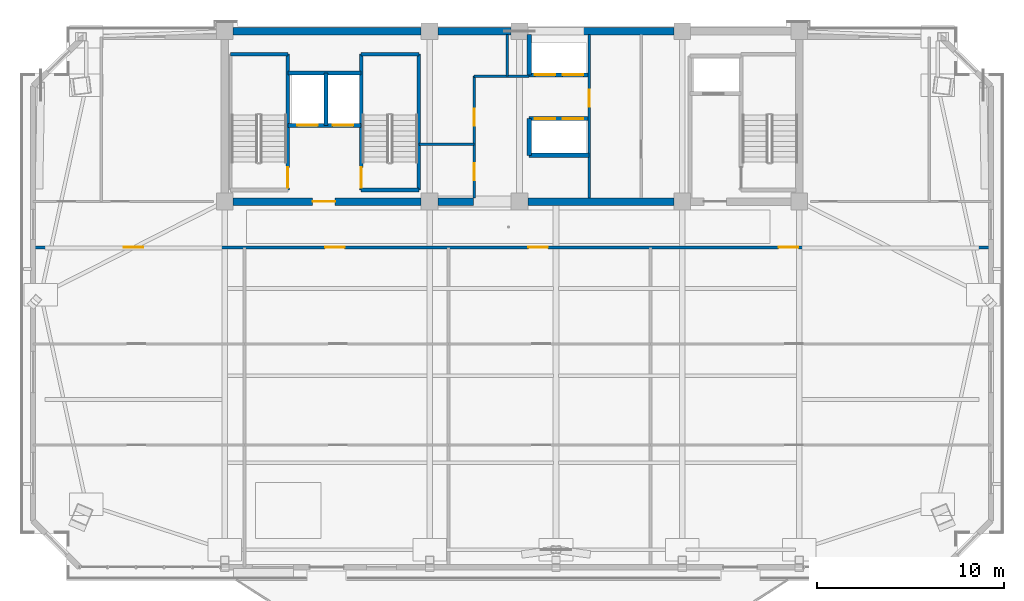
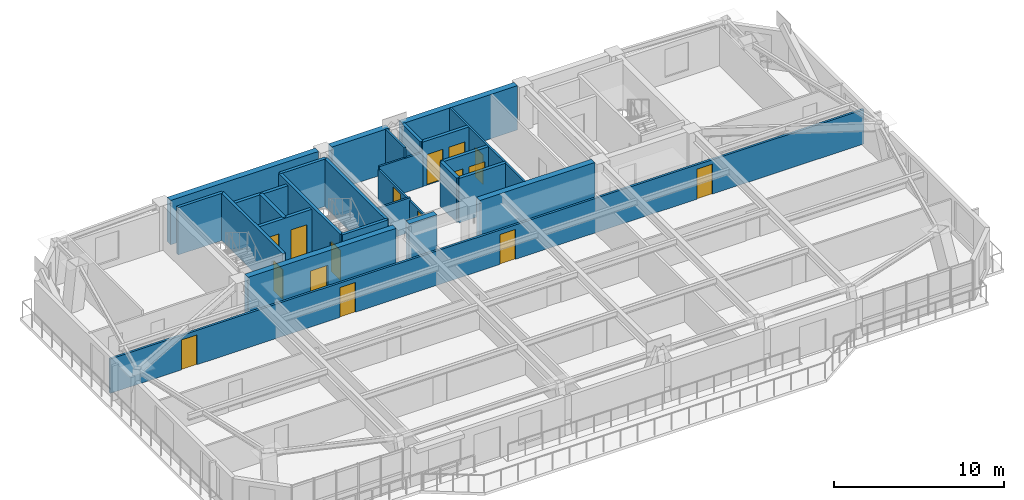
# One storey, part 9 of 15: 26 walls, 16 doors, 16 openings.
"""IFC4 building model written with IfcOpenShell, lengths in metres."""

from ifc_helpers import new_model, si_unit, direction, frame, frame_2d, origin, place, context, subcontext, project, spatial, rectangle, extrude, source, transform, mapped, material, layer, layer_set, type_object, element, fill, save


model = new_model("IFC4")

# Units and contexts
model_context = context("Model", 3, precision=1e-05, world=origin(), true_north=direction((0.0, 1.0)))
body_context = subcontext(model_context, "Body", "Model", "MODEL_VIEW")
ifc_project = project(units=[si_unit("LENGTHUNIT", "METRE"), si_unit("AREAUNIT", "SQUARE_METRE"), si_unit("VOLUMEUNIT", "CUBIC_METRE"), si_unit("PLANEANGLEUNIT", "RADIAN"), si_unit("MASSUNIT", "GRAM", prefix="KILO")], contexts=[model_context])

# Site, building, storey
site_placement = place(None, origin())
site = spatial("IfcSite", under=ifc_project, at=site_placement, CompositionType="ELEMENT")
building_placement = place(site_placement, origin())
building = spatial("IfcBuilding", under=site, at=building_placement, Name="Giltprow Tower", CompositionType="ELEMENT")
storey_placement = place(building_placement, frame((0.0, 0.0, 290.39990234375)))
storey = spatial("IfcBuildingStorey", under=building, at=storey_placement, Name="L74", CompositionType="ELEMENT", Elevation=290.39990234375)

# Wall, openings, doors
ifc_material_1 = material(Name="Gypsum stud partition", Category="gypsum")
ifc_layer_1 = layer(ifc_material_1, 0.14990234375, Name="Gypsum stud partition")
ifc_layer_set_1 = layer_set([ifc_layer_1], Name="Gypsum stud partition")
wall_type_1 = type_object("IfcWallType", Name="IW-CORR-150", PredefinedType="PARTITIONING", material=ifc_layer_set_1)
wall_1_placement = place(storey_placement, frame((9.60888671875, 35.0, 0.0), z_axis=(0.0, 0.0, 1.0), x_axis=(1.0, 0.0, 0.0)))
wall_1 = element("IfcWall", 1, at=wall_1_placement, inside=storey, type_object=wall_type_1, Name="L74 Residence Gallery Corridor Wall", PredefinedType="PARTITIONING", context=body_context, shape_type="SweptSolid", body=[
    extrude(rectangle(XDim=51.18212890625, YDim=0.14990234375, at=frame_2d((25.591064453125, 0.0))), origin(), (0.0, 0.0, 1.0), 2.47021484375),
])
opening_1_placement = place(wall_1_placement, frame((4.841064453125, 0.0, 0.0)))
opening_1 = element("IfcOpeningElement", 2, at=opening_1_placement, cuts=wall_1, Name="Opening ID31", PredefinedType="OPENING", context=body_context, shape_type="SweptSolid", body=[
    extrude(rectangle(XDim=1.050048828125, YDim=2.14990234375, at=frame_2d((0.52490234375, 1.074951171875))), frame((0.0, 0.0849609375, 0.0), z_axis=(0.0, -1.0, 0.0), x_axis=(1.0, 0.0, 0.0)), (0.0, 0.0, 1.0), 0.169921875),
])
opening_2_placement = place(wall_1_placement, frame((15.60205078125, 0.0, 0.0)))
opening_2 = element("IfcOpeningElement", 3, at=opening_2_placement, cuts=wall_1, Name="Opening ID31", PredefinedType="OPENING", context=body_context, shape_type="SweptSolid", body=[
    extrude(rectangle(XDim=1.050048828125, YDim=2.14990234375, at=frame_2d((0.52490234375, 1.074951171875))), frame((0.0, 0.0849609375, 0.0), z_axis=(0.0, -1.0, 0.0), x_axis=(1.0, 0.0, 0.0)), (0.0, 0.0, 1.0), 0.169921875),
])
opening_3_placement = place(wall_1_placement, frame((26.464111328125, 0.0, 0.0)))
opening_3 = element("IfcOpeningElement", 4, at=opening_3_placement, cuts=wall_1, Name="Opening ID31", PredefinedType="OPENING", context=body_context, shape_type="SweptSolid", body=[
    extrude(rectangle(XDim=1.050048828125, YDim=2.14990234375, at=frame_2d((0.52490234375, 1.074951171875))), frame((0.0, 0.0849609375, 0.0), z_axis=(0.0, -1.0, 0.0), x_axis=(1.0, 0.0, 0.0)), (0.0, 0.0, 1.0), 0.169921875),
])
opening_4_placement = place(wall_1_placement, frame((39.839111328125, 0.0, 0.0)))
opening_4 = element("IfcOpeningElement", 5, at=opening_4_placement, cuts=wall_1, Name="Opening ID31", PredefinedType="OPENING", context=body_context, shape_type="SweptSolid", body=[
    extrude(rectangle(XDim=1.050048828125, YDim=2.14990234375, at=frame_2d((0.52490234375, 1.074951171875))), frame((0.0, 0.0849609375, 0.0), z_axis=(0.0, -1.0, 0.0), x_axis=(1.0, 0.0, 0.0)), (0.0, 0.0, 1.0), 0.169921875),
])
ifc_material_2 = material(Name="Engineered timber", Category="wood")
door_type_1 = type_object("IfcDoorType", Name="DR-SUITE-1050", OperationType="SINGLE_SWING_LEFT", PredefinedType="DOOR", material=ifc_material_2)
shared_shape_1 = source(origin(), body_context, "Body", "SweptSolid", [
    extrude(rectangle(XDim=1.050048828125, YDim=2.14990234375, at=frame_2d((0.52490234375, 1.074951171875))), frame((0.0, 0.02490234375, 0.0), z_axis=(0.0, -1.0, 0.0), x_axis=(1.0, 0.0, 0.0)), (0.0, 0.0, 1.0), 0.050048828125),
])
door_1_placement = place(opening_1_placement, origin())
door_1 = element("IfcDoor", 6, at=door_1_placement, inside=storey, type_object=door_type_1, Name="L74 Private Wine Cellar Store 1 North Door", OperationType="SINGLE_SWING_RIGHT", OverallHeight=2.14990234375, OverallWidth=1.050048828125, PredefinedType="DOOR", context=body_context, shape_type="MappedRepresentation", body=[
    mapped(shared_shape_1, transform((0.0, 0.0, 0.0), x_axis=(1.0, 0.0, 0.0), y_axis=(0.0, 1.0, 0.0), z_axis=(0.0, 0.0, 1.0), scale=1.0)),
])
fill(opening_1, door_1)
door_2_placement = place(opening_2_placement, origin())
door_2 = element("IfcDoor", 7, at=door_2_placement, inside=storey, type_object=door_type_1, Name="L74 Residents Sky Club Lounge North Door", OperationType="SINGLE_SWING_LEFT", OverallHeight=2.14990234375, OverallWidth=1.050048828125, PredefinedType="DOOR", context=body_context, shape_type="MappedRepresentation", body=[
    mapped(shared_shape_1, transform((0.0, 0.0, 0.0), x_axis=(1.0, 0.0, 0.0), y_axis=(0.0, 1.0, 0.0), z_axis=(0.0, 0.0, 1.0), scale=1.0)),
])
fill(opening_2, door_2)
door_3_placement = place(opening_3_placement, origin())
door_3 = element("IfcDoor", 8, at=door_3_placement, inside=storey, type_object=door_type_1, Name="L74 Residents Sky Club Lounge North Door", OperationType="SINGLE_SWING_RIGHT", OverallHeight=2.14990234375, OverallWidth=1.050048828125, PredefinedType="DOOR", context=body_context, shape_type="MappedRepresentation", body=[
    mapped(shared_shape_1, transform((0.0, 0.0, 0.0), x_axis=(1.0, 0.0, 0.0), y_axis=(0.0, 1.0, 0.0), z_axis=(0.0, 0.0, 1.0), scale=1.0)),
])
fill(opening_3, door_3)
door_4_placement = place(opening_4_placement, origin())
door_4 = element("IfcDoor", 9, at=door_4_placement, inside=storey, type_object=door_type_1, Name="L74 Valet Trunk Store 2 North Door", OperationType="SINGLE_SWING_LEFT", OverallHeight=2.14990234375, OverallWidth=1.050048828125, PredefinedType="DOOR", context=body_context, shape_type="MappedRepresentation", body=[
    mapped(shared_shape_1, transform((0.0, 0.0, 0.0), x_axis=(1.0, 0.0, 0.0), y_axis=(0.0, 1.0, 0.0), z_axis=(0.0, 0.0, 1.0), scale=1.0)),
])
fill(opening_4, door_4)

ifc_material_3 = material(Name="Concrete C40", Category="concrete")
ifc_layer_2 = layer(ifc_material_3, 0.219970703125, Name="Concrete C40")
ifc_layer_set_2 = layer_set([ifc_layer_2], Name="Concrete C40")
wall_type_2 = type_object("IfcWallType", Name="IW-SHAFT-220", PredefinedType="SOLIDWALL", material=ifc_layer_set_2)
wall_2_placement = place(storey_placement, frame((23.219970703125, 41.52001953125, 0.0), z_axis=(0.0, 0.0, 1.0), x_axis=(1.0, 0.0, 0.0)))
wall_2 = element("IfcWall", 10, at=wall_2_placement, inside=storey, type_object=wall_type_2, Name="L74 FFL1 and Service Lift Front Wall", PredefinedType="SOLIDWALL", context=body_context, shape_type="SweptSolid", body=[
    extrude(rectangle(XDim=3.919921875, YDim=0.219970703125, at=frame_2d((1.9599609375, 0.0))), origin(), (0.0, 0.0, 1.0), 3.18505859375),
])
opening_5_placement = place(wall_2_placement, frame((0.5, 0.0, 0.0)))
opening_5 = element("IfcOpeningElement", 11, at=opening_5_placement, cuts=wall_2, Name="Opening LD-11", PredefinedType="OPENING", context=body_context, shape_type="SweptSolid", body=[
    extrude(rectangle(XDim=1.10009765625, YDim=2.199951171875, at=frame_2d((0.550048828125, 1.10009765625))), frame((0.0, 0.119873046875, 0.0), z_axis=(0.0, -1.0, 0.0), x_axis=(1.0, 0.0, 0.0)), (0.0, 0.0, 1.0), 0.239990234375),
])
opening_6_placement = place(wall_2_placement, frame((2.39990234375, 0.0, 0.0)))
opening_6 = element("IfcOpeningElement", 12, at=opening_6_placement, cuts=wall_2, Name="Opening LD-11", PredefinedType="OPENING", context=body_context, shape_type="SweptSolid", body=[
    extrude(rectangle(XDim=1.10009765625, YDim=2.199951171875, at=frame_2d((0.550048828125, 1.10009765625))), frame((0.0, 0.119873046875, 0.0), z_axis=(0.0, -1.0, 0.0), x_axis=(1.0, 0.0, 0.0)), (0.0, 0.0, 1.0), 0.239990234375),
])
ifc_material_4 = material(Name="Stainless steel", Category="steel")
door_type_2 = type_object("IfcDoorType", Name="DR-LIFT-LD1100", OperationType="SLIDING_TO_LEFT", PredefinedType="DOOR", material=ifc_material_4)
shared_shape_2 = source(origin(), body_context, "Body", "SweptSolid", [
    extrude(rectangle(XDim=1.10009765625, YDim=2.199951171875, at=frame_2d((0.550048828125, 1.10009765625))), frame((0.0, 0.02490234375, 0.0), z_axis=(0.0, -1.0, 0.0), x_axis=(1.0, 0.0, 0.0)), (0.0, 0.0, 1.0), 0.050048828125),
])
door_5_placement = place(opening_5_placement, origin())
door_5 = element("IfcDoor", 13, at=door_5_placement, inside=storey, type_object=door_type_2, Name="L74 FFL1 Landing Door", OperationType="SLIDING_TO_LEFT", OverallHeight=2.199951171875, OverallWidth=1.10009765625, PredefinedType="DOOR", context=body_context, shape_type="MappedRepresentation", body=[
    mapped(shared_shape_2, transform((0.0, 0.0, 0.0), x_axis=(1.0, 0.0, 0.0), y_axis=(0.0, 1.0, 0.0), z_axis=(0.0, 0.0, 1.0), scale=1.0)),
])
fill(opening_5, door_5)
door_6_placement = place(opening_6_placement, origin())
door_6 = element("IfcDoor", 14, at=door_6_placement, inside=storey, type_object=door_type_2, Name="L74 SVL1 Landing Door", OperationType="SLIDING_TO_LEFT", OverallHeight=2.199951171875, OverallWidth=1.10009765625, PredefinedType="DOOR", context=body_context, shape_type="MappedRepresentation", body=[
    mapped(shared_shape_2, transform((0.0, 0.0, 0.0), x_axis=(1.0, 0.0, 0.0), y_axis=(0.0, 1.0, 0.0), z_axis=(0.0, 0.0, 1.0), scale=1.0)),
])
fill(opening_6, door_6)

# Walls
wall_3_placement = place(storey_placement, frame((25.260009765625, 41.52001953125, 0.0), z_axis=(0.0, 0.0, 1.0), x_axis=(0.0, 1.0, 0.0)))
element("IfcWall", 15, at=wall_3_placement, inside=storey, type_object=wall_type_2, Name="L74 FFL1-SVL1 Shaft Divider", PredefinedType="SOLIDWALL", context=body_context, shape_type="SweptSolid", body=[
    extrude(rectangle(XDim=2.800048828125, YDim=0.219970703125, at=frame_2d((1.39990234375, 0.0))), origin(), (0.0, 0.0, 1.0), 3.18505859375),
])
wall_4_placement = place(storey_placement, frame((23.219970703125, 44.320068359375, 0.0), z_axis=(0.0, 0.0, 1.0), x_axis=(1.0, 0.0, 0.0)))
element("IfcWall", 16, at=wall_4_placement, inside=storey, type_object=wall_type_2, Name="L74 FFL1-SVL1 Back Shaft Wall", PredefinedType="SOLIDWALL", context=body_context, shape_type="SweptSolid", body=[
    extrude(rectangle(XDim=3.919921875, YDim=0.219970703125, at=frame_2d((1.9599609375, 0.0))), origin(), (0.0, 0.0, 1.0), 3.18505859375),
])

# Wall, openings, doors
wall_5_placement = place(storey_placement, frame((36.1201171875, 44.219970703125, 0.0), z_axis=(0.0, 0.0, 1.0), x_axis=(1.0, 0.0, 0.0)))
wall_5 = element("IfcWall", 17, at=wall_5_placement, inside=storey, type_object=wall_type_2, Name="L74 High-Rise Lift Shaft Front Wall N", PredefinedType="SOLIDWALL", context=body_context, shape_type="SweptSolid", body=[
    extrude(rectangle(XDim=3.199951171875, YDim=0.219970703125, at=frame_2d((1.60009765625, 0.0))), origin(), (0.0, 0.0, 1.0), 3.18505859375),
])
opening_7_placement = place(wall_5_placement, frame((0.300048828125, 0.0, 0.0)))
opening_7 = element("IfcOpeningElement", 18, at=opening_7_placement, cuts=wall_5, Name="Opening LD-11", PredefinedType="OPENING", context=body_context, shape_type="SweptSolid", body=[
    extrude(rectangle(XDim=1.10009765625, YDim=2.199951171875, at=frame_2d((0.550048828125, 1.10009765625))), frame((0.0, 0.119873046875, 0.0), z_axis=(0.0, -1.0, 0.0), x_axis=(1.0, 0.0, 0.0)), (0.0, 0.0, 1.0), 0.239990234375),
])
opening_8_placement = place(wall_5_placement, frame((1.7900390625, 0.0, 0.0)))
opening_8 = element("IfcOpeningElement", 19, at=opening_8_placement, cuts=wall_5, Name="Opening LD-11", PredefinedType="OPENING", context=body_context, shape_type="SweptSolid", body=[
    extrude(rectangle(XDim=1.10009765625, YDim=2.199951171875, at=frame_2d((0.550048828125, 1.10009765625))), frame((0.0, 0.119873046875, 0.0), z_axis=(0.0, -1.0, 0.0), x_axis=(1.0, 0.0, 0.0)), (0.0, 0.0, 1.0), 0.239990234375),
])
door_7_placement = place(opening_7_placement, origin())
door_7 = element("IfcDoor", 20, at=door_7_placement, inside=storey, type_object=door_type_2, Name="L74 PL-H1 Landing Door", OperationType="SLIDING_TO_LEFT", OverallHeight=2.199951171875, OverallWidth=1.10009765625, PredefinedType="DOOR", context=body_context, shape_type="MappedRepresentation", body=[
    mapped(shared_shape_2, transform((0.0, 0.0, 0.0), x_axis=(1.0, 0.0, 0.0), y_axis=(0.0, 1.0, 0.0), z_axis=(0.0, 0.0, 1.0), scale=1.0)),
])
fill(opening_7, door_7)
door_8_placement = place(opening_8_placement, origin())
door_8 = element("IfcDoor", 21, at=door_8_placement, inside=storey, type_object=door_type_2, Name="L74 PL-H2 Landing Door", OperationType="SLIDING_TO_LEFT", OverallHeight=2.199951171875, OverallWidth=1.10009765625, PredefinedType="DOOR", context=body_context, shape_type="MappedRepresentation", body=[
    mapped(shared_shape_2, transform((0.0, 0.0, 0.0), x_axis=(1.0, 0.0, 0.0), y_axis=(0.0, 1.0, 0.0), z_axis=(0.0, 0.0, 1.0), scale=1.0)),
])
fill(opening_8, door_8)

wall_6_placement = place(storey_placement, frame((36.1201171875, 41.8798828125, 0.0), z_axis=(0.0, 0.0, 1.0), x_axis=(1.0, 0.0, 0.0)))
wall_6 = element("IfcWall", 22, at=wall_6_placement, inside=storey, type_object=wall_type_2, Name="L74 High-Rise Lift Shaft Front Wall S", PredefinedType="SOLIDWALL", context=body_context, shape_type="SweptSolid", body=[
    extrude(rectangle(XDim=3.199951171875, YDim=0.219970703125, at=frame_2d((1.60009765625, 0.0))), origin(), (0.0, 0.0, 1.0), 3.18505859375),
])
opening_9_placement = place(wall_6_placement, frame((0.300048828125, 0.0, 0.0)))
opening_9 = element("IfcOpeningElement", 23, at=opening_9_placement, cuts=wall_6, Name="Opening LD-11", PredefinedType="OPENING", context=body_context, shape_type="SweptSolid", body=[
    extrude(rectangle(XDim=1.10009765625, YDim=2.199951171875, at=frame_2d((0.550048828125, 1.10009765625))), frame((0.0, 0.119873046875, 0.0), z_axis=(0.0, -1.0, 0.0), x_axis=(1.0, 0.0, 0.0)), (0.0, 0.0, 1.0), 0.239990234375),
])
opening_10_placement = place(wall_6_placement, frame((1.7900390625, 0.0, 0.0)))
opening_10 = element("IfcOpeningElement", 24, at=opening_10_placement, cuts=wall_6, Name="Opening LD-11", PredefinedType="OPENING", context=body_context, shape_type="SweptSolid", body=[
    extrude(rectangle(XDim=1.10009765625, YDim=2.199951171875, at=frame_2d((0.550048828125, 1.10009765625))), frame((0.0, 0.119873046875, 0.0), z_axis=(0.0, -1.0, 0.0), x_axis=(1.0, 0.0, 0.0)), (0.0, 0.0, 1.0), 0.239990234375),
])
door_9_placement = place(opening_9_placement, origin())
door_9 = element("IfcDoor", 25, at=door_9_placement, inside=storey, type_object=door_type_2, Name="L74 PL-H3 Landing Door", OperationType="SLIDING_TO_LEFT", OverallHeight=2.199951171875, OverallWidth=1.10009765625, PredefinedType="DOOR", context=body_context, shape_type="MappedRepresentation", body=[
    mapped(shared_shape_2, transform((0.0, 0.0, 0.0), x_axis=(1.0, 0.0, 0.0), y_axis=(0.0, 1.0, 0.0), z_axis=(0.0, 0.0, 1.0), scale=1.0)),
])
fill(opening_9, door_9)
door_10_placement = place(opening_10_placement, origin())
door_10 = element("IfcDoor", 26, at=door_10_placement, inside=storey, type_object=door_type_2, Name="L74 PL-H4 Landing Door", OperationType="SLIDING_TO_LEFT", OverallHeight=2.199951171875, OverallWidth=1.10009765625, PredefinedType="DOOR", context=body_context, shape_type="MappedRepresentation", body=[
    mapped(shared_shape_2, transform((0.0, 0.0, 0.0), x_axis=(1.0, 0.0, 0.0), y_axis=(0.0, 1.0, 0.0), z_axis=(0.0, 0.0, 1.0), scale=1.0)),
])
fill(opening_10, door_10)

# Walls
wall_7_placement = place(storey_placement, frame((36.1201171875, 39.919921875, 0.0), z_axis=(0.0, 0.0, 1.0), x_axis=(1.0, 0.0, 0.0)))
element("IfcWall", 27, at=wall_7_placement, inside=storey, type_object=wall_type_2, Name="L74 High-Rise South Lift Back Wall", PredefinedType="SOLIDWALL", context=body_context, shape_type="SweptSolid", body=[
    extrude(rectangle(XDim=3.199951171875, YDim=0.219970703125, at=frame_2d((1.60009765625, 0.0))), origin(), (0.0, 0.0, 1.0), 3.18505859375),
])
wall_8_placement = place(storey_placement, frame((36.1201171875, 39.919921875, 0.0), z_axis=(0.0, 0.0, 1.0), x_axis=(0.0, 1.0, 0.0)))
element("IfcWall", 28, at=wall_8_placement, inside=storey, type_object=wall_type_2, Name="L74 High-Rise South Lift West Closure", PredefinedType="SOLIDWALL", context=body_context, shape_type="SweptSolid", body=[
    extrude(rectangle(XDim=1.9599609375, YDim=0.219970703125, at=frame_2d((0.97998046875, 0.0))), origin(), (0.0, 0.0, 1.0), 3.18505859375),
])
wall_9_placement = place(storey_placement, frame((36.1201171875, 44.219970703125, 0.0), z_axis=(0.0, 0.0, 1.0), x_axis=(0.0, 1.0, 0.0)))
element("IfcWall", 29, at=wall_9_placement, inside=storey, type_object=wall_type_2, Name="L74 High-Rise North Lift West Closure", PredefinedType="SOLIDWALL", context=body_context, shape_type="SweptSolid", body=[
    extrude(rectangle(XDim=2.150146484375, YDim=0.219970703125, at=frame_2d((1.0751953125, 0.0))), origin(), (0.0, 0.0, 1.0), 3.18505859375),
])

# Wall, opening, door
ifc_layer_3 = layer(ifc_material_3, 0.199951171875, Name="Concrete C40")
ifc_layer_set_3 = layer_set([ifc_layer_3], Name="Concrete C40")
wall_type_3 = type_object("IfcWallType", Name="IW-STAIR-200", PredefinedType="SOLIDWALL", material=ifc_layer_set_3)
wall_10_placement = place(storey_placement, frame((23.219970703125, 38.070068359375, 0.0), z_axis=(0.0, 0.0, 1.0), x_axis=(0.0, 1.0, 0.0)))
wall_10 = element("IfcWall", 30, at=wall_10_placement, inside=storey, type_object=wall_type_3, Name="L74 Stair ST-1 East Bearing Wall", PredefinedType="SOLIDWALL", context=body_context, shape_type="SweptSolid", body=[
    extrude(rectangle(XDim=7.25, YDim=0.199951171875, at=frame_2d((3.625, 0.0))), origin(), (0.0, 0.0, 1.0), 3.400146484375),
])
opening_11_placement = place(wall_10_placement, frame((0.110107421875, 0.0, 0.0)))
opening_11 = element("IfcOpeningElement", 31, at=opening_11_placement, cuts=wall_10, Name="Opening ID33", PredefinedType="OPENING", context=body_context, shape_type="SweptSolid", body=[
    extrude(rectangle(XDim=1.10009765625, YDim=2.14990234375, at=frame_2d((0.550048828125, 1.074951171875))), frame((0.0, 0.10986328125, 0.0), z_axis=(0.0, -1.0, 0.0), x_axis=(1.0, 0.0, 0.0)), (0.0, 0.0, 1.0), 0.219970703125),
])
ifc_material_5 = material(Name="Steel fire leaf", Category="steel")
door_type_3 = type_object("IfcDoorType", Name="DR-STAIR-1100", OperationType="SINGLE_SWING_LEFT", PredefinedType="DOOR", material=ifc_material_5)
shared_shape_3 = source(origin(), body_context, "Body", "SweptSolid", [
    extrude(rectangle(XDim=1.10009765625, YDim=2.14990234375, at=frame_2d((0.550048828125, 1.074951171875))), frame((0.0, 0.02490234375, 0.0), z_axis=(0.0, -1.0, 0.0), x_axis=(1.0, 0.0, 0.0)), (0.0, 0.0, 1.0), 0.050048828125),
])
door_11_placement = place(opening_11_placement, origin())
door_11 = element("IfcDoor", 32, at=door_11_placement, inside=storey, type_object=door_type_3, Name="L74 Stair ST-1 Fire Door", OperationType="SINGLE_SWING_LEFT", OverallHeight=2.14990234375, OverallWidth=1.10009765625, PredefinedType="DOOR", context=body_context, shape_type="MappedRepresentation", body=[
    mapped(shared_shape_3, transform((0.0, 0.0, 0.0), x_axis=(1.0, 0.0, 0.0), y_axis=(0.0, 1.0, 0.0), z_axis=(0.0, 0.0, 1.0), scale=1.0)),
])
fill(opening_11, door_11)

# Wall
wall_11_placement = place(storey_placement, frame((20.169921875, 45.320068359375, 0.0), z_axis=(0.0, 0.0, 1.0), x_axis=(1.0, 0.0, 0.0)))
element("IfcWall", 33, at=wall_11_placement, inside=storey, type_object=wall_type_3, Name="L74 Stair ST-1 North Bearing Wall", PredefinedType="SOLIDWALL", context=body_context, shape_type="SweptSolid", body=[
    extrude(rectangle(XDim=3.050048828125, YDim=0.199951171875, at=frame_2d((1.52490234375, 0.0))), origin(), (0.0, 0.0, 1.0), 3.400146484375),
])

# Wall, opening, door
wall_12_placement = place(storey_placement, frame((27.139892578125, 38.070068359375, 0.0), z_axis=(0.0, 0.0, 1.0), x_axis=(0.0, 1.0, 0.0)))
wall_12 = element("IfcWall", 34, at=wall_12_placement, inside=storey, type_object=wall_type_3, Name="L74 Stair ST-2 West Bearing Wall", PredefinedType="SOLIDWALL", context=body_context, shape_type="SweptSolid", body=[
    extrude(rectangle(XDim=7.25, YDim=0.199951171875, at=frame_2d((3.625, 0.0))), origin(), (0.0, 0.0, 1.0), 3.400146484375),
])
opening_12_placement = place(wall_12_placement, frame((0.110107421875, 0.0, 0.0)))
opening_12 = element("IfcOpeningElement", 35, at=opening_12_placement, cuts=wall_12, Name="Opening ID33", PredefinedType="OPENING", context=body_context, shape_type="SweptSolid", body=[
    extrude(rectangle(XDim=1.10009765625, YDim=2.14990234375, at=frame_2d((0.550048828125, 1.074951171875))), frame((0.0, 0.10986328125, 0.0), z_axis=(0.0, -1.0, 0.0), x_axis=(1.0, 0.0, 0.0)), (0.0, 0.0, 1.0), 0.219970703125),
])
door_12_placement = place(opening_12_placement, origin())
door_12 = element("IfcDoor", 36, at=door_12_placement, inside=storey, type_object=door_type_3, Name="L74 Stair ST-2 Fire Door", OperationType="SINGLE_SWING_RIGHT", OverallHeight=2.14990234375, OverallWidth=1.10009765625, PredefinedType="DOOR", context=body_context, shape_type="MappedRepresentation", body=[
    mapped(shared_shape_3, transform((0.0, 0.0, 0.0), x_axis=(1.0, 0.0, 0.0), y_axis=(0.0, 1.0, 0.0), z_axis=(0.0, 0.0, 1.0), scale=1.0)),
])
fill(opening_12, door_12)

# Walls
wall_13_placement = place(storey_placement, frame((30.219970703125, 38.070068359375, 0.0), z_axis=(0.0, 0.0, 1.0), x_axis=(0.0, 1.0, 0.0)))
element("IfcWall", 37, at=wall_13_placement, inside=storey, type_object=wall_type_3, Name="L74 Stair ST-2 East Bearing Wall", PredefinedType="SOLIDWALL", context=body_context, shape_type="SweptSolid", body=[
    extrude(rectangle(XDim=7.25, YDim=0.199951171875, at=frame_2d((3.625, 0.0))), origin(), (0.0, 0.0, 1.0), 3.400146484375),
])
for number, where, z_axis, x_axis, name in (
    (38, (27.139892578125, 45.320068359375, 0.0), (0.0, 0.0, 1.0), (1.0, 0.0, 0.0), "L74 Stair ST-2 North Bearing Wall"),
    (39, (27.139892578125, 38.070068359375, 0.0), (0.0, 0.0, 1.0), (1.0, 0.0, 0.0), "L74 Stair ST-2 South Bearing Wall"),
):
    element("IfcWall", number, at=place(storey_placement, frame(where, z_axis=z_axis, x_axis=x_axis)), inside=storey, type_object=wall_type_3, Name=name, PredefinedType="SOLIDWALL", context=body_context, shape_type="SweptSolid", body=[
        extrude(rectangle(XDim=3.080078125, YDim=0.199951171875, at=frame_2d((1.5400390625, 0.0))), origin(), (0.0, 0.0, 1.0), 3.400146484375),
    ])

# Wall, openings, doors
ifc_material_6 = material(Name="Concrete C30", Category="concrete")
ifc_layer_4 = layer(ifc_material_6, 0.1298828125, Name="Concrete C30")
ifc_layer_set_4 = layer_set([ifc_layer_4], Name="Concrete C30")
wall_type_4 = type_object("IfcWallType", Name="IW-WET-130", PredefinedType="PARTITIONING", material=ifc_layer_set_4)
wall_14_placement = place(storey_placement, frame((33.179931640625, 37.6298828125, 0.0), z_axis=(0.0, 0.0, 1.0), x_axis=(0.0, 1.0, 0.0)))
wall_14 = element("IfcWall", 40, at=wall_14_placement, inside=storey, type_object=wall_type_4, Name="L74 Reclaimed West Core Wall", PredefinedType="PARTITIONING", context=body_context, shape_type="SweptSolid", body=[
    extrude(rectangle(XDim=6.52001953125, YDim=0.1298828125, at=frame_2d((3.260009765625, 0.0))), origin(), (0.0, 0.0, 1.0), 2.27001953125),
])
opening_13_placement = place(wall_14_placement, frame((0.969970703125, 0.0, 0.0)))
opening_13 = element("IfcOpeningElement", 41, at=opening_13_placement, cuts=wall_14, Name="Opening ID35", PredefinedType="OPENING", context=body_context, shape_type="SweptSolid", body=[
    extrude(rectangle(XDim=0.89990234375, YDim=2.10009765625, at=frame_2d((0.449951171875, 1.050048828125))), frame((0.0, 0.074951171875, 0.0), z_axis=(0.0, -1.0, 0.0), x_axis=(1.0, 0.0, 0.0)), (0.0, 0.0, 1.0), 0.14990234375),
])
opening_14_placement = place(wall_14_placement, frame((3.8701171875, 0.0, 0.0)))
opening_14 = element("IfcOpeningElement", 42, at=opening_14_placement, cuts=wall_14, Name="Opening ID35", PredefinedType="OPENING", context=body_context, shape_type="SweptSolid", body=[
    extrude(rectangle(XDim=0.89990234375, YDim=2.10009765625, at=frame_2d((0.449951171875, 1.050048828125))), frame((0.0, 0.074951171875, 0.0), z_axis=(0.0, -1.0, 0.0), x_axis=(1.0, 0.0, 0.0)), (0.0, 0.0, 1.0), 0.14990234375),
])
door_type_4 = type_object("IfcDoorType", Name="DR-SHAFT-900", OperationType="SINGLE_SWING_LEFT", PredefinedType="DOOR", material=ifc_material_5)
shared_shape_4 = source(origin(), body_context, "Body", "SweptSolid", [
    extrude(rectangle(XDim=0.89990234375, YDim=2.10009765625, at=frame_2d((0.449951171875, 1.050048828125))), frame((0.0, 0.02490234375, 0.0), z_axis=(0.0, -1.0, 0.0), x_axis=(1.0, 0.0, 0.0)), (0.0, 0.0, 1.0), 0.050048828125),
])
door_13_placement = place(opening_13_placement, origin())
door_13 = element("IfcDoor", 43, at=door_13_placement, inside=storey, type_object=door_type_4, Name="L74 Core Powder WC Door", OperationType="SINGLE_SWING_RIGHT", OverallHeight=2.10009765625, OverallWidth=0.89990234375, PredefinedType="DOOR", context=body_context, shape_type="MappedRepresentation", body=[
    mapped(shared_shape_4, transform((0.0, 0.0, 0.0), x_axis=(1.0, 0.0, 0.0), y_axis=(0.0, 1.0, 0.0), z_axis=(0.0, 0.0, 1.0), scale=1.0)),
])
fill(opening_13, door_13)
door_14_placement = place(opening_14_placement, origin())
door_14 = element("IfcDoor", 44, at=door_14_placement, inside=storey, type_object=door_type_4, Name="L74 Core Sommelier Pantry Door", OperationType="SINGLE_SWING_LEFT", OverallHeight=2.10009765625, OverallWidth=0.89990234375, PredefinedType="DOOR", context=body_context, shape_type="MappedRepresentation", body=[
    mapped(shared_shape_4, transform((0.0, 0.0, 0.0), x_axis=(1.0, 0.0, 0.0), y_axis=(0.0, 1.0, 0.0), z_axis=(0.0, 0.0, 1.0), scale=1.0)),
])
fill(opening_14, door_14)

# Walls
wall_15_placement = place(storey_placement, frame((34.949951171875, 44.14990234375, 0.0), z_axis=(0.0, 0.0, 1.0), x_axis=(0.0, 1.0, 0.0)))
element("IfcWall", 45, at=wall_15_placement, inside=storey, type_object=wall_type_4, Name="L74 Reclaimed West Pocket Wall E", PredefinedType="PARTITIONING", context=body_context, shape_type="SweptSolid", body=[
    extrude(rectangle(XDim=2.22021484375, YDim=0.1298828125, at=frame_2d((1.110107421875, 0.0))), origin(), (0.0, 0.0, 1.0), 3.18505859375),
])
wall_16_placement = place(storey_placement, frame((33.179931640625, 44.14990234375, 0.0), z_axis=(0.0, 0.0, 1.0), x_axis=(1.0, 0.0, 0.0)))
element("IfcWall", 46, at=wall_16_placement, inside=storey, type_object=wall_type_4, Name="L74 Reclaimed West Pocket Wall S", PredefinedType="PARTITIONING", context=body_context, shape_type="SweptSolid", body=[
    extrude(rectangle(XDim=2.940185546875, YDim=0.1298828125, at=frame_2d((1.47021484375, 0.0))), origin(), (0.0, 0.0, 1.0), 2.47021484375),
])

# Wall, opening, door
wall_17_placement = place(storey_placement, frame((39.320068359375, 37.6298828125, 0.0), z_axis=(0.0, 0.0, 1.0), x_axis=(0.0, 1.0, 0.0)))
wall_17 = element("IfcWall", 47, at=wall_17_placement, inside=storey, type_object=wall_type_4, Name="L74 Reclaimed East Core Wall", PredefinedType="PARTITIONING", context=body_context, shape_type="SweptSolid", body=[
    extrude(rectangle(XDim=8.740234375, YDim=0.1298828125, at=frame_2d((4.3701171875, 0.0))), origin(), (0.0, 0.0, 1.0), 3.18505859375),
])
opening_15_placement = place(wall_17_placement, frame((4.889892578125, 0.0, 0.0)))
opening_15 = element("IfcOpeningElement", 48, at=opening_15_placement, cuts=wall_17, Name="Opening ID35", PredefinedType="OPENING", context=body_context, shape_type="SweptSolid", body=[
    extrude(rectangle(XDim=0.89990234375, YDim=2.10009765625, at=frame_2d((0.449951171875, 1.050048828125))), frame((0.0, 0.074951171875, 0.0), z_axis=(0.0, -1.0, 0.0), x_axis=(1.0, 0.0, 0.0)), (0.0, 0.0, 1.0), 0.14990234375),
])
door_15_placement = place(opening_15_placement, origin())
door_15 = element("IfcDoor", 49, at=door_15_placement, inside=storey, type_object=door_type_4, Name="L74 Core Housekeeping Vestibule Door", OperationType="SINGLE_SWING_RIGHT", OverallHeight=2.10009765625, OverallWidth=0.89990234375, PredefinedType="DOOR", context=body_context, shape_type="MappedRepresentation", body=[
    mapped(shared_shape_4, transform((0.0, 0.0, 0.0), x_axis=(1.0, 0.0, 0.0), y_axis=(0.0, 1.0, 0.0), z_axis=(0.0, 0.0, 1.0), scale=1.0)),
])
fill(opening_15, door_15)

# Walls
wall_18_placement = place(storey_placement, frame((30.219970703125, 40.5, 0.0), z_axis=(0.0, 0.0, 1.0), x_axis=(1.0, 0.0, 0.0)))
element("IfcWall", 50, at=wall_18_placement, inside=storey, type_object=wall_type_4, Name="L74 West Core Split 2", PredefinedType="PARTITIONING", context=body_context, shape_type="SweptSolid", body=[
    extrude(rectangle(XDim=2.9599609375, YDim=0.1298828125, at=frame_2d((1.47998046875, 0.0))), origin(), (0.0, 0.0, 1.0), 2.47021484375),
])
ifc_material_7 = material(Name="Concrete C45", Category="concrete")
ifc_layer_5 = layer(ifc_material_7, 0.39990234375, Name="Concrete C45")
ifc_layer_set_5 = layer_set([ifc_layer_5], Name="Concrete C45")
wall_type_5 = type_object("IfcWallType", Name="SW-EXT-400-C45", PredefinedType="SHEAR", material=ifc_layer_set_5)
wall_19_placement = place(storey_placement, frame((20.300048828125, 46.550048828125, 0.0), z_axis=(0.0, 0.0, 1.0), x_axis=(1.0, 0.0, 0.0)))
element("IfcWall", 51, at=wall_19_placement, inside=storey, type_object=wall_type_5, Name="L74 North Rear Core Shear Wall 1", PredefinedType="SHEAR", context=body_context, shape_type="SweptSolid", body=[
    extrude(rectangle(XDim=10.050048828125, YDim=0.39990234375, at=frame_2d((5.02490234375, 0.0))), origin(), (0.0, 0.0, 1.0), 3.18505859375),
])
wall_20_placement = place(storey_placement, frame((31.25, 46.550048828125, 0.0), z_axis=(0.0, 0.0, 1.0), x_axis=(1.0, 0.0, 0.0)))
element("IfcWall", 52, at=wall_20_placement, inside=storey, type_object=wall_type_5, Name="L74 North Rear Core Shear Wall 2", PredefinedType="SHEAR", context=body_context, shape_type="SweptSolid", body=[
    extrude(rectangle(XDim=3.89990234375, YDim=0.39990234375, at=frame_2d((1.949951171875, 0.0))), origin(), (0.0, 0.0, 1.0), 3.18505859375),
])
wall_21_placement = place(storey_placement, frame((36.050048828125, 46.550048828125, 0.0), z_axis=(0.0, 0.0, 1.0), x_axis=(1.0, 0.0, 0.0)))
element("IfcWall", 53, at=wall_21_placement, inside=storey, type_object=wall_type_5, Name="L74 North Rear Core Shear Wall 3", PredefinedType="SHEAR", context=body_context, shape_type="SweptSolid", body=[
    extrude(rectangle(XDim=7.800048828125, YDim=0.39990234375, at=frame_2d((3.89990234375, 0.0))), origin(), (0.0, 0.0, 1.0), 3.18505859375),
])

# Wall, opening, door
ifc_layer_6 = layer(ifc_material_7, 0.39990234375, Name="Concrete C45")
ifc_layer_set_6 = layer_set([ifc_layer_6], Name="Concrete C45")
wall_type_6 = type_object("IfcWallType", Name="SW-INT-400-C45", PredefinedType="SHEAR", material=ifc_layer_set_6)
wall_22_placement = place(storey_placement, frame((20.300048828125, 37.449951171875, 0.0), z_axis=(0.0, 0.0, 1.0), x_axis=(1.0, 0.0, 0.0)))
wall_22 = element("IfcWall", 54, at=wall_22_placement, inside=storey, type_object=wall_type_6, Name="L74 South Rear Core Shear Wall West", PredefinedType="SHEAR", context=body_context, shape_type="SweptSolid", body=[
    extrude(rectangle(XDim=10.050048828125, YDim=0.39990234375, at=frame_2d((5.02490234375, 0.0))), origin(), (0.0, 0.0, 1.0), 3.18505859375),
])
opening_16_placement = place(wall_22_placement, frame((4.25, 0.0, 0.0)))
opening_16 = element("IfcOpeningElement", 55, at=opening_16_placement, cuts=wall_22, Name="Opening ID19", PredefinedType="OPENING", context=body_context, shape_type="SweptSolid", body=[
    extrude(rectangle(XDim=1.199951171875, YDim=2.14990234375, at=frame_2d((0.60009765625, 1.074951171875))), frame((0.0, 0.2099609375, 0.0), z_axis=(0.0, -1.0, 0.0), x_axis=(1.0, 0.0, 0.0)), (0.0, 0.0, 1.0), 0.419921875),
])
door_type_5 = type_object("IfcDoorType", Name="DR-FFLOBBY-1200", OperationType="SINGLE_SWING_RIGHT", PredefinedType="DOOR", material=ifc_material_5)
shared_shape_5 = source(origin(), body_context, "Body", "SweptSolid", [
    extrude(rectangle(XDim=1.199951171875, YDim=2.14990234375, at=frame_2d((0.60009765625, 1.074951171875))), frame((0.0, 0.02490234375, 0.0), z_axis=(0.0, -1.0, 0.0), x_axis=(1.0, 0.0, 0.0)), (0.0, 0.0, 1.0), 0.050048828125),
])
door_16_placement = place(opening_16_placement, origin())
door_16 = element("IfcDoor", 56, at=door_16_placement, inside=storey, type_object=door_type_5, Name="L74 West Firefighting Lobby Entry Door", OperationType="SINGLE_SWING_RIGHT", OverallHeight=2.14990234375, OverallWidth=1.199951171875, PredefinedType="DOOR", context=body_context, shape_type="MappedRepresentation", body=[
    mapped(shared_shape_5, transform((0.0, 0.0, 0.0), x_axis=(1.0, 0.0, 0.0), y_axis=(0.0, 1.0, 0.0), z_axis=(0.0, 0.0, 1.0), scale=1.0)),
])
fill(opening_16, door_16)

# Walls
wall_23_placement = place(storey_placement, frame((31.25, 37.449951171875, 0.0), z_axis=(0.0, 0.0, 1.0), x_axis=(1.0, 0.0, 0.0)))
element("IfcWall", 57, at=wall_23_placement, inside=storey, type_object=wall_type_6, Name="L74 South Rear Core Shear Wall Mid-West", PredefinedType="SHEAR", context=body_context, shape_type="SweptSolid", body=[
    extrude(rectangle(XDim=1.89990234375, YDim=0.39990234375, at=frame_2d((0.949951171875, 0.0))), origin(), (0.0, 0.0, 1.0), 3.18505859375),
])
wall_24_placement = place(storey_placement, frame((36.050048828125, 37.449951171875, 0.0), z_axis=(0.0, 0.0, 1.0), x_axis=(1.0, 0.0, 0.0)))
element("IfcWall", 58, at=wall_24_placement, inside=storey, type_object=wall_type_6, Name="L74 South Rear Core Shear Wall Mid-East", PredefinedType="SHEAR", context=body_context, shape_type="SweptSolid", body=[
    extrude(rectangle(XDim=7.800048828125, YDim=0.39990234375, at=frame_2d((3.89990234375, 0.0))), origin(), (0.0, 0.0, 1.0), 3.18505859375),
])

save(model, "model.ifc")
